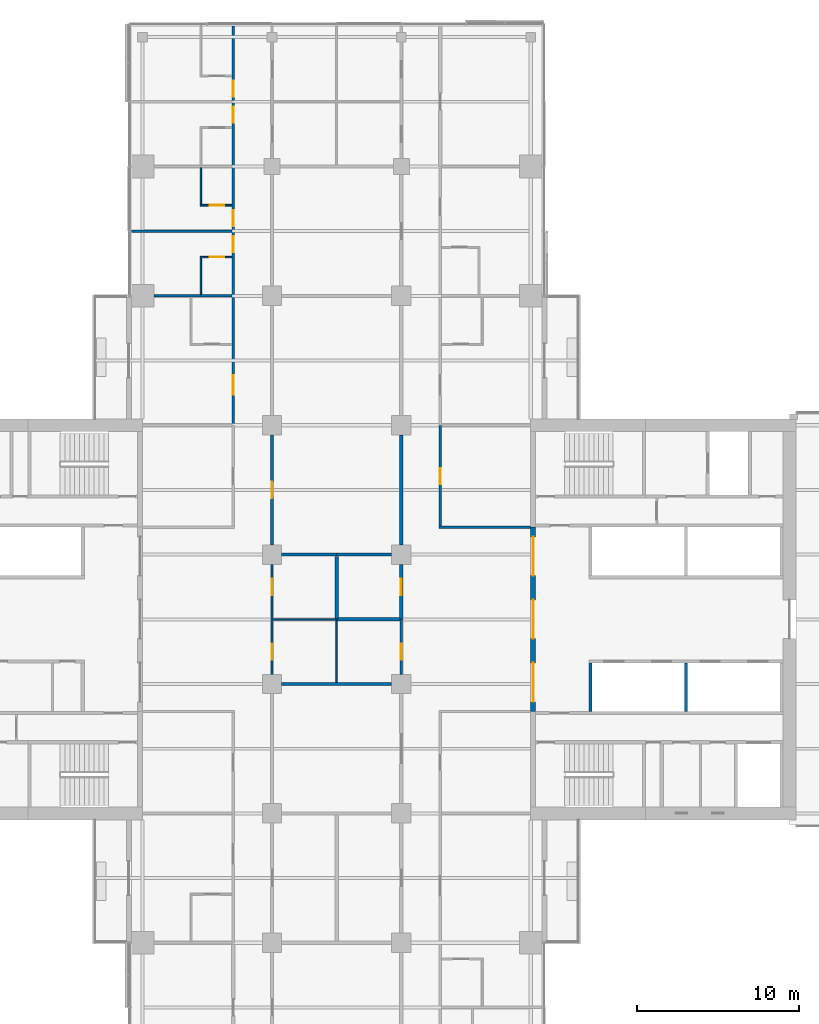
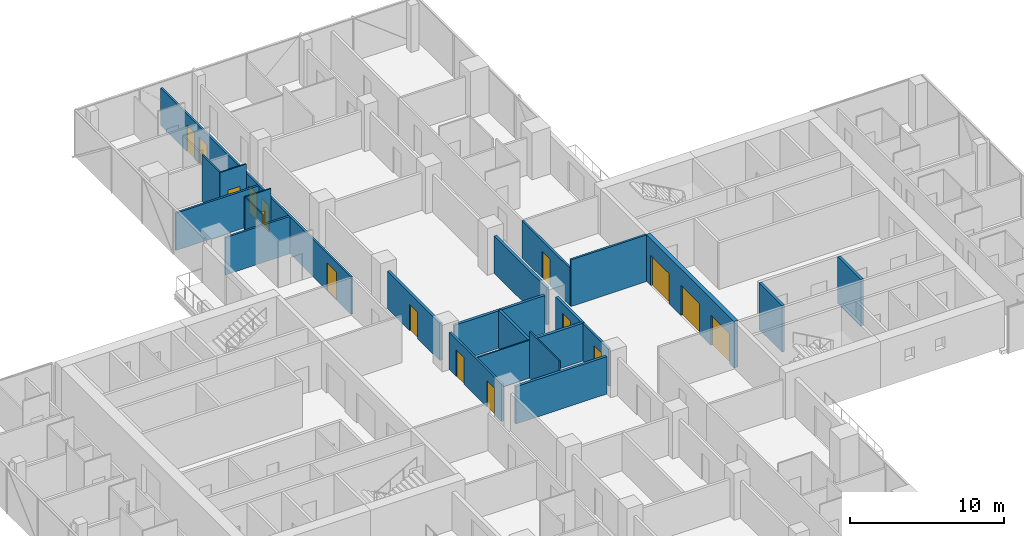
# One storey, part 19 of 27: 24 walls, 16 doors, 16 openings.
"""IFC4 building model written with IfcOpenShell, lengths in metres."""

from ifc_helpers import new_model, si_unit, direction, frame, frame_2d, origin, place, context, subcontext, project, spatial, rectangle, extrude, material, layer, layer_set, type_object, element, fill, save


model = new_model("IFC4")

# Units and contexts
model_context = context("Model", 3, precision=1e-05, world=origin(), true_north=direction((0.0, 1.0)))
body_context = subcontext(model_context, "Body", "Model", "MODEL_VIEW")
ifc_project = project(units=[si_unit("LENGTHUNIT", "METRE"), si_unit("AREAUNIT", "SQUARE_METRE"), si_unit("VOLUMEUNIT", "CUBIC_METRE"), si_unit("PLANEANGLEUNIT", "RADIAN"), si_unit("MASSUNIT", "GRAM", prefix="KILO")], contexts=[model_context])

# Site, building, storey
site_placement = place(None, origin())
site = spatial("IfcSite", under=ifc_project, at=site_placement, CompositionType="ELEMENT")
building_placement = place(site_placement, origin())
building = spatial("IfcBuilding", under=site, at=building_placement, Name="Crosswind Convention Tower", CompositionType="ELEMENT")
storey_placement = place(building_placement, frame((0.0, 0.0, 90.5)))
storey = spatial("IfcBuildingStorey", under=building, at=storey_placement, Name="L17", CompositionType="ELEMENT", Elevation=90.5)

# Walls
ifc_material_1 = material(Name="Concrete blockwork", Category="masonry")
ifc_layer_1 = layer(ifc_material_1, 0.199951171875)
ifc_layer_set_1 = layer_set([ifc_layer_1], Name="COMPARTMENT WALL 200")
wall_type_1 = type_object("IfcWallType", Name="COMPARTMENT WALL 200", PredefinedType="SOLIDWALL", material=ifc_layer_set_1)
wall_1_placement = place(storey_placement, frame((125.0, 100.0, 0.0), z_axis=(0.0, 0.0, 1.0), x_axis=(1.0, 0.0, 0.0)))
element("IfcWall", 1, at=wall_1_placement, inside=storey, type_object=wall_type_1, Name="Compartment Wall 30", PredefinedType="SOLIDWALL", context=body_context, shape_type="SweptSolid", body=[
    extrude(rectangle(XDim=3.925048828125, YDim=0.199951171875, at=frame_2d((1.96240234375, 0.0))), origin(), (0.0, 0.0, 1.0), 3.013671875),
])
wall_2_placement = place(storey_placement, frame((125.0, 104.0, 0.0), z_axis=(0.0, 0.0, 1.0), x_axis=(1.0, 0.0, 0.0)))
element("IfcWall", 2, at=wall_2_placement, inside=storey, type_object=wall_type_1, Name="Compartment Wall 37", PredefinedType="SOLIDWALL", context=body_context, shape_type="SweptSolid", body=[
    extrude(rectangle(XDim=3.39990234375, YDim=0.199951171875, at=frame_2d((1.699951171875, 0.0))), origin(), (0.0, 0.0, 1.0), 2.959716796875),
])
wall_3_placement = place(storey_placement, frame((125.0, 100.050048828125, 0.0), z_axis=(0.0, 0.0, 1.0), x_axis=(0.0, 1.0, 0.0)))
element("IfcWall", 3, at=wall_3_placement, inside=storey, type_object=wall_type_1, Name="Compartment Wall 98", PredefinedType="SOLIDWALL", context=body_context, shape_type="SweptSolid", body=[
    extrude(rectangle(XDim=3.849853515625, YDim=0.199951171875, at=frame_2d((1.9248046875, 0.0))), origin(), (0.0, 0.0, 1.0), 3.013671875),
])

# Wall, opening, door
wall_4_placement = place(storey_placement, frame((129.0, 100.0, 0.0), z_axis=(0.0, 0.0, 1.0), x_axis=(0.0, 1.0, 0.0)))
wall_4 = element("IfcWall", 4, at=wall_4_placement, inside=storey, type_object=wall_type_1, Name="Compartment Wall 108", PredefinedType="SOLIDWALL", context=body_context, shape_type="SweptSolid", body=[
    extrude(rectangle(XDim=3.39990234375, YDim=0.199951171875, at=frame_2d((1.699951171875, 0.0))), origin(), (0.0, 0.0, 1.0), 2.959716796875),
])
opening_1_placement = place(wall_4_placement, frame((1.5, 0.0, 0.0)))
opening_1 = element("IfcOpeningElement", 5, at=opening_1_placement, cuts=wall_4, Name="Opening 17.061", PredefinedType="OPENING", context=body_context, shape_type="SweptSolid", body=[
    extrude(rectangle(XDim=1.0, YDim=2.199951171875, at=frame_2d((0.5, 1.10009765625))), frame((0.0, 0.10986328125, 0.0), z_axis=(0.0, -1.0, 0.0), x_axis=(1.0, 0.0, 0.0)), (0.0, 0.0, 1.0), 0.219970703125),
])
ifc_material_2 = material(Name="Steel fire door", Category="steel")
door_type_1 = type_object("IfcDoorType", Name="PLANT ROOM DOOR 1000X2200", OperationType="NOTDEFINED", PredefinedType="DOOR", material=ifc_material_2)
door_1_placement = place(opening_1_placement, origin())
door_1 = element("IfcDoor", 6, at=door_1_placement, inside=storey, type_object=door_type_1, Name="Door 17.061", ObjectType="D6", OperationType="SINGLE_SWING_RIGHT", OverallHeight=2.199951171875, OverallWidth=1.0, PredefinedType="DOOR", context=body_context, shape_type="SweptSolid", body=[
    extrude(rectangle(XDim=1.0, YDim=2.199951171875, at=frame_2d((0.5, 1.10009765625))), frame((0.0, 0.02490234375, 0.0), z_axis=(0.0, -1.0, 0.0), x_axis=(1.0, 0.0, 0.0)), (0.0, 0.0, 1.0), 0.050048828125),
])
fill(opening_1, door_1)

# Wall
ifc_material_3 = material(Name="Plasterboard partition", Category="gypsum")
ifc_layer_2 = layer(ifc_material_3, 0.14990234375)
ifc_layer_set_2 = layer_set([ifc_layer_2], Name="CORRIDOR WALL 150")
wall_type_2 = type_object("IfcWallType", Name="CORRIDOR WALL 150", PredefinedType="PARTITIONING", material=ifc_layer_set_2)
wall_5_placement = place(storey_placement, frame((131.324951171875, 105.699951171875, 0.0), z_axis=(0.0, 0.0, 1.0), x_axis=(1.0, 0.0, 0.0)))
element("IfcWall", 7, at=wall_5_placement, inside=storey, type_object=wall_type_2, Name="Corridor Wall 42", PredefinedType="PARTITIONING", context=body_context, shape_type="SweptSolid", body=[
    extrude(rectangle(XDim=5.675048828125, YDim=0.14990234375, at=frame_2d((2.83740234375, 0.0))), origin(), (0.0, 0.0, 1.0), 3.699951171875),
])

# Wall, openings, doors
wall_6_placement = place(storey_placement, frame((121.0, 96.60009765625, 0.0), z_axis=(0.0, 0.0, 1.0), x_axis=(0.0, 1.0, 0.0)))
wall_6 = element("IfcWall", 8, at=wall_6_placement, inside=storey, type_object=wall_type_2, Name="Corridor Wall 88", PredefinedType="PARTITIONING", context=body_context, shape_type="SweptSolid", body=[
    extrude(rectangle(XDim=6.7998046875, YDim=0.14990234375, at=frame_2d((3.39990234375, 0.0))), origin(), (0.0, 0.0, 1.0), 2.959716796875),
])
opening_2_placement = place(wall_6_placement, frame((0.89990234375, 0.0, 0.0)))
opening_2 = element("IfcOpeningElement", 9, at=opening_2_placement, cuts=wall_6, Name="Opening 17.058", PredefinedType="OPENING", context=body_context, shape_type="SweptSolid", body=[
    extrude(rectangle(XDim=1.0, YDim=2.10009765625, at=frame_2d((0.5, 1.050048828125))), frame((0.0, 0.0849609375, 0.0), z_axis=(0.0, -1.0, 0.0), x_axis=(1.0, 0.0, 0.0)), (0.0, 0.0, 1.0), 0.169921875),
])
opening_3_placement = place(wall_6_placement, frame((4.89990234375, 0.0, 0.0)))
opening_3 = element("IfcOpeningElement", 10, at=opening_3_placement, cuts=wall_6, Name="Opening 17.059", PredefinedType="OPENING", context=body_context, shape_type="SweptSolid", body=[
    extrude(rectangle(XDim=1.0, YDim=2.10009765625, at=frame_2d((0.5, 1.050048828125))), frame((0.0, 0.0849609375, 0.0), z_axis=(0.0, -1.0, 0.0), x_axis=(1.0, 0.0, 0.0)), (0.0, 0.0, 1.0), 0.169921875),
])
ifc_material_4 = material(Name="Timber fire door", Category="wood")
door_type_2 = type_object("IfcDoorType", Name="SERVICE ROOM DOOR 1000X2100", OperationType="NOTDEFINED", PredefinedType="DOOR", material=ifc_material_4)
door_2_placement = place(opening_2_placement, frame((1.0, 0.0, 0.0), z_axis=(0.0, 0.0, 1.0), x_axis=(-1.0, 0.0, 0.0)))
door_2 = element("IfcDoor", 11, at=door_2_placement, inside=storey, type_object=door_type_2, Name="Door 17.058", ObjectType="D3", OperationType="SINGLE_SWING_RIGHT", OverallHeight=2.10009765625, OverallWidth=1.0, PredefinedType="DOOR", context=body_context, shape_type="SweptSolid", body=[
    extrude(rectangle(XDim=1.0, YDim=2.10009765625, at=frame_2d((0.5, 1.050048828125))), frame((0.0, 0.02490234375, 0.0), z_axis=(0.0, -1.0, 0.0), x_axis=(1.0, 0.0, 0.0)), (0.0, 0.0, 1.0), 0.050048828125),
])
fill(opening_2, door_2)
door_3_placement = place(opening_3_placement, frame((1.0, 0.0, 0.0), z_axis=(0.0, 0.0, 1.0), x_axis=(-1.0, 0.0, 0.0)))
door_3 = element("IfcDoor", 12, at=door_3_placement, inside=storey, type_object=door_type_2, Name="Door 17.059", ObjectType="D3", OperationType="SINGLE_SWING_LEFT", OverallHeight=2.10009765625, OverallWidth=1.0, PredefinedType="DOOR", context=body_context, shape_type="SweptSolid", body=[
    extrude(rectangle(XDim=1.0, YDim=2.10009765625, at=frame_2d((0.5, 1.050048828125))), frame((0.0, 0.02490234375, 0.0), z_axis=(0.0, -1.0, 0.0), x_axis=(1.0, 0.0, 0.0)), (0.0, 0.0, 1.0), 0.050048828125),
])
fill(opening_3, door_3)

# Wall, opening, door
wall_7_placement = place(storey_placement, frame((129.0, 96.60009765625, 0.0), z_axis=(0.0, 0.0, 1.0), x_axis=(0.0, 1.0, 0.0)))
wall_7 = element("IfcWall", 13, at=wall_7_placement, inside=storey, type_object=wall_type_2, Name="Corridor Wall 107", PredefinedType="PARTITIONING", context=body_context, shape_type="SweptSolid", body=[
    extrude(rectangle(XDim=3.39990234375, YDim=0.14990234375, at=frame_2d((1.699951171875, 0.0))), origin(), (0.0, 0.0, 1.0), 2.959716796875),
])
opening_4_placement = place(wall_7_placement, frame((0.89990234375, 0.0, 0.0)))
opening_4 = element("IfcOpeningElement", 14, at=opening_4_placement, cuts=wall_7, Name="Opening 17.060", PredefinedType="OPENING", context=body_context, shape_type="SweptSolid", body=[
    extrude(rectangle(XDim=1.0, YDim=2.10009765625, at=frame_2d((0.5, 1.050048828125))), frame((0.0, 0.0849609375, 0.0), z_axis=(0.0, -1.0, 0.0), x_axis=(1.0, 0.0, 0.0)), (0.0, 0.0, 1.0), 0.169921875),
])
door_4_placement = place(opening_4_placement, origin())
door_4 = element("IfcDoor", 15, at=door_4_placement, inside=storey, type_object=door_type_2, Name="Door 17.060", ObjectType="D3", OperationType="SINGLE_SWING_LEFT", OverallHeight=2.10009765625, OverallWidth=1.0, PredefinedType="DOOR", context=body_context, shape_type="SweptSolid", body=[
    extrude(rectangle(XDim=1.0, YDim=2.10009765625, at=frame_2d((0.5, 1.050048828125))), frame((0.0, 0.02490234375, 0.0), z_axis=(0.0, -1.0, 0.0), x_axis=(1.0, 0.0, 0.0)), (0.0, 0.0, 1.0), 0.050048828125),
])
fill(opening_4, door_4)

wall_8_placement = place(storey_placement, frame((131.39990234375, 105.77490234375, 0.0), z_axis=(0.0, 0.0, 1.0), x_axis=(0.0, 1.0, 0.0)))
wall_8 = element("IfcWall", 16, at=wall_8_placement, inside=storey, type_object=wall_type_2, Name="Corridor Wall 116", PredefinedType="PARTITIONING", context=body_context, shape_type="SweptSolid", body=[
    extrude(rectangle(XDim=6.22509765625, YDim=0.14990234375, at=frame_2d((3.112548828125, 0.0))), origin(), (0.0, 0.0, 1.0), 2.956298828125),
])
opening_5_placement = place(wall_8_placement, frame((2.574951171875, 0.0, 0.0)))
opening_5 = element("IfcOpeningElement", 17, at=opening_5_placement, cuts=wall_8, Name="Opening 17.001", PredefinedType="OPENING", context=body_context, shape_type="SweptSolid", body=[
    extrude(rectangle(XDim=1.0, YDim=2.10009765625, at=frame_2d((0.5, 1.050048828125))), frame((0.0, 0.0849609375, 0.0), z_axis=(0.0, -1.0, 0.0), x_axis=(1.0, 0.0, 0.0)), (0.0, 0.0, 1.0), 0.169921875),
])
door_5_placement = place(opening_5_placement, frame((1.0, 0.0, 0.0), z_axis=(0.0, 0.0, 1.0), x_axis=(-1.0, 0.0, 0.0)))
door_5 = element("IfcDoor", 18, at=door_5_placement, inside=storey, type_object=door_type_2, Name="Door 17.001", ObjectType="D3", OperationType="SINGLE_SWING_LEFT", OverallHeight=2.10009765625, OverallWidth=1.0, PredefinedType="DOOR", context=body_context, shape_type="SweptSolid", body=[
    extrude(rectangle(XDim=1.0, YDim=2.10009765625, at=frame_2d((0.5, 1.050048828125))), frame((0.0, 0.02490234375, 0.0), z_axis=(0.0, -1.0, 0.0), x_axis=(1.0, 0.0, 0.0)), (0.0, 0.0, 1.0), 0.050048828125),
])
fill(opening_5, door_5)

# Wall, openings, doors
ifc_material_5 = material(Name="Concrete C50/60", Category="concrete")
ifc_layer_3 = layer(ifc_material_5, 0.300048828125)
ifc_layer_set_3 = layer_set([ifc_layer_3], Name="Concrete C50/60")
wall_type_3 = type_object("IfcWallType", Name="Concrete inner core wall 300", PredefinedType="SHEAR", material=ifc_layer_set_3)
wall_9_placement = place(storey_placement, frame((137.14990234375, 94.300048828125, 0.0), z_axis=(0.0, 0.0, 1.0), x_axis=(0.0, 1.0, 0.0)))
wall_9 = element("IfcWall", 19, at=wall_9_placement, inside=storey, type_object=wall_type_3, Name="Wall SCR E L17", PredefinedType="SHEAR", context=body_context, shape_type="SweptSolid", body=[
    extrude(rectangle(XDim=11.39990234375, YDim=0.300048828125, at=frame_2d((5.699951171875, 0.0))), origin(), (0.0, 0.0, 1.0), 3.699951171875),
])
opening_6_placement = place(wall_9_placement, frame((0.60009765625, 0.0, 0.0)))
opening_6 = element("IfcOpeningElement", 20, at=opening_6_placement, cuts=wall_9, Name="Opening D100", PredefinedType="OPENING", context=body_context, shape_type="SweptSolid", body=[
    extrude(rectangle(XDim=2.39990234375, YDim=2.39990234375, at=frame_2d((1.199951171875, 1.199951171875))), frame((0.0, 0.159912109375, 0.0), z_axis=(0.0, -1.0, 0.0), x_axis=(1.0, 0.0, 0.0)), (0.0, 0.0, 1.0), 0.320068359375),
])
opening_7_placement = place(wall_9_placement, frame((4.5, 0.0, 0.0)))
opening_7 = element("IfcOpeningElement", 21, at=opening_7_placement, cuts=wall_9, Name="Opening D100", PredefinedType="OPENING", context=body_context, shape_type="SweptSolid", body=[
    extrude(rectangle(XDim=2.39990234375, YDim=2.39990234375, at=frame_2d((1.199951171875, 1.199951171875))), frame((0.0, 0.159912109375, 0.0), z_axis=(0.0, -1.0, 0.0), x_axis=(1.0, 0.0, 0.0)), (0.0, 0.0, 1.0), 0.320068359375),
])
opening_8_placement = place(wall_9_placement, frame((8.39990234375, 0.0, 0.0)))
opening_8 = element("IfcOpeningElement", 22, at=opening_8_placement, cuts=wall_9, Name="Opening D100", PredefinedType="OPENING", context=body_context, shape_type="SweptSolid", body=[
    extrude(rectangle(XDim=2.39990234375, YDim=2.39990234375, at=frame_2d((1.199951171875, 1.199951171875))), frame((0.0, 0.159912109375, 0.0), z_axis=(0.0, -1.0, 0.0), x_axis=(1.0, 0.0, 0.0)), (0.0, 0.0, 1.0), 0.320068359375),
])
ifc_material_6 = material(Name="Steel fire door with glazed vision panels", Category="steel")
door_type_3 = type_object("IfcDoorType", Name="Fire-rated double door 2400x2400", OperationType="DOUBLE_DOOR_SINGLE_SWING", PredefinedType="DOOR", material=ifc_material_6)
door_6_placement = place(opening_6_placement, origin())
door_6 = element("IfcDoor", 23, at=door_6_placement, inside=storey, type_object=door_type_3, Name="Lobby door 1 L17", ObjectType="D100", OperationType="DOUBLE_DOOR_SINGLE_SWING", OverallHeight=2.39990234375, OverallWidth=2.39990234375, PredefinedType="DOOR", context=body_context, shape_type="SweptSolid", body=[
    extrude(rectangle(XDim=2.39990234375, YDim=2.39990234375, at=frame_2d((1.199951171875, 1.199951171875))), frame((0.0, 0.02490234375, 0.0), z_axis=(0.0, -1.0, 0.0), x_axis=(1.0, 0.0, 0.0)), (0.0, 0.0, 1.0), 0.050048828125),
])
fill(opening_6, door_6)
door_7_placement = place(opening_7_placement, origin())
door_7 = element("IfcDoor", 24, at=door_7_placement, inside=storey, type_object=door_type_3, Name="Lobby door 2 L17", ObjectType="D100", OperationType="DOUBLE_DOOR_SINGLE_SWING", OverallHeight=2.39990234375, OverallWidth=2.39990234375, PredefinedType="DOOR", context=body_context, shape_type="SweptSolid", body=[
    extrude(rectangle(XDim=2.39990234375, YDim=2.39990234375, at=frame_2d((1.199951171875, 1.199951171875))), frame((0.0, 0.02490234375, 0.0), z_axis=(0.0, -1.0, 0.0), x_axis=(1.0, 0.0, 0.0)), (0.0, 0.0, 1.0), 0.050048828125),
])
fill(opening_7, door_7)
door_8_placement = place(opening_8_placement, origin())
door_8 = element("IfcDoor", 25, at=door_8_placement, inside=storey, type_object=door_type_3, Name="Lobby door 3 L17", ObjectType="D100", OperationType="DOUBLE_DOOR_SINGLE_SWING", OverallHeight=2.39990234375, OverallWidth=2.39990234375, PredefinedType="DOOR", context=body_context, shape_type="SweptSolid", body=[
    extrude(rectangle(XDim=2.39990234375, YDim=2.39990234375, at=frame_2d((1.199951171875, 1.199951171875))), frame((0.0, 0.02490234375, 0.0), z_axis=(0.0, -1.0, 0.0), x_axis=(1.0, 0.0, 0.0)), (0.0, 0.0, 1.0), 0.050048828125),
])
fill(opening_8, door_8)

# Walls
ifc_layer_4 = layer(ifc_material_5, 0.199951171875)
ifc_layer_set_4 = layer_set([ifc_layer_4], Name="Concrete C50/60")
wall_type_4 = type_object("IfcWallType", Name="Concrete shaft and stair wall 200", PredefinedType="SHEAR", material=ifc_layer_set_4)
for number, where, z_axis, x_axis, name in (
    (26, (140.699951171875, 94.300048828125, 0.0), (0.0, 0.0, 1.0), (0.0, 1.0, 0.0), "Wall RMEND E L17"),
    (27, (146.60009765625, 94.300048828125, 0.0), (0.0, 0.0, 1.0), (0.0, 1.0, 0.0), "Wall RMSEP E L17"),
):
    element("IfcWall", number, at=place(storey_placement, frame(where, z_axis=z_axis, x_axis=x_axis)), inside=storey, type_object=wall_type_4, Name=name, PredefinedType="SHEAR", context=body_context, shape_type="SweptSolid", body=[
        extrude(rectangle(XDim=3.0, YDim=0.199951171875, at=frame_2d((1.5, 0.0))), origin(), (0.0, 0.0, 1.0), 3.699951171875),
    ])
ifc_material_7 = material(Name="Acoustic plasterboard partition", Category="gypsum")
ifc_layer_5 = layer(ifc_material_7, 0.14990234375)
ifc_layer_set_5 = layer_set([ifc_layer_5], Name="GUEST ROOM WALL 150")
wall_type_5 = type_object("IfcWallType", Name="GUEST ROOM WALL 150", PredefinedType="PARTITIONING", material=ifc_layer_set_5)
wall_10_placement = place(storey_placement, frame((113.699951171875, 120.0, 0.0), z_axis=(0.0, 0.0, 1.0), x_axis=(1.0, 0.0, 0.0)))
element("IfcWall", 28, at=wall_10_placement, inside=storey, type_object=wall_type_5, Name="Guest Room Wall 52", PredefinedType="PARTITIONING", context=body_context, shape_type="SweptSolid", body=[
    extrude(rectangle(XDim=4.824951171875, YDim=0.14990234375, at=frame_2d((2.41259765625, 0.0))), origin(), (0.0, 0.0, 1.0), 2.959716796875),
])
wall_11_placement = place(storey_placement, frame((112.300048828125, 124.0, 0.0), z_axis=(0.0, 0.0, 1.0), x_axis=(1.0, 0.0, 0.0)))
element("IfcWall", 29, at=wall_11_placement, inside=storey, type_object=wall_type_5, Name="Guest Room Wall 57", PredefinedType="PARTITIONING", context=body_context, shape_type="SweptSolid", body=[
    extrude(rectangle(XDim=6.224853515625, YDim=0.14990234375, at=frame_2d((3.1123046875, 0.0))), origin(), (0.0, 0.0, 1.0), 2.962890625),
])

# Wall, openings, doors
wall_12_placement = place(storey_placement, frame((118.60009765625, 112.0, 0.0), z_axis=(0.0, 0.0, 1.0), x_axis=(0.0, 1.0, 0.0)))
wall_12 = element("IfcWall", 30, at=wall_12_placement, inside=storey, type_object=wall_type_5, Name="Guest Room Wall 82", PredefinedType="PARTITIONING", context=body_context, shape_type="SweptSolid", body=[
    extrude(rectangle(XDim=24.699951171875, YDim=0.14990234375, at=frame_2d((12.35009765625, 0.0))), origin(), (0.0, 0.0, 1.0), 2.956298828125),
])
opening_9_placement = place(wall_12_placement, frame((1.89990234375, 0.0, 0.0)))
opening_9 = element("IfcOpeningElement", 31, at=opening_9_placement, cuts=wall_12, Name="Opening 17.010", PredefinedType="OPENING", context=body_context, shape_type="SweptSolid", body=[
    extrude(rectangle(XDim=1.199951171875, YDim=2.199951171875, at=frame_2d((0.60009765625, 1.10009765625))), frame((0.0, 0.0849609375, 0.0), z_axis=(0.0, -1.0, 0.0), x_axis=(1.0, 0.0, 0.0)), (0.0, 0.0, 1.0), 0.169921875),
])
opening_10_placement = place(wall_12_placement, frame((10.699951171875, 0.0, 0.0)))
opening_10 = element("IfcOpeningElement", 32, at=opening_10_placement, cuts=wall_12, Name="Opening 17.012", PredefinedType="OPENING", context=body_context, shape_type="SweptSolid", body=[
    extrude(rectangle(XDim=1.0, YDim=2.10009765625, at=frame_2d((0.5, 1.050048828125))), frame((0.0, 0.0849609375, 0.0), z_axis=(0.0, -1.0, 0.0), x_axis=(1.0, 0.0, 0.0)), (0.0, 0.0, 1.0), 0.169921875),
])
opening_11_placement = place(wall_12_placement, frame((12.300048828125, 0.0, 0.0)))
opening_11 = element("IfcOpeningElement", 33, at=opening_11_placement, cuts=wall_12, Name="Opening 17.014", PredefinedType="OPENING", context=body_context, shape_type="SweptSolid", body=[
    extrude(rectangle(XDim=1.0, YDim=2.10009765625, at=frame_2d((0.5, 1.050048828125))), frame((0.0, 0.0849609375, 0.0), z_axis=(0.0, -1.0, 0.0), x_axis=(1.0, 0.0, 0.0)), (0.0, 0.0, 1.0), 0.169921875),
])
opening_12_placement = place(wall_12_placement, frame((18.699951171875, 0.0, 0.0)))
opening_12 = element("IfcOpeningElement", 34, at=opening_12_placement, cuts=wall_12, Name="Opening 17.016", PredefinedType="OPENING", context=body_context, shape_type="SweptSolid", body=[
    extrude(rectangle(XDim=1.0, YDim=2.10009765625, at=frame_2d((0.5, 1.050048828125))), frame((0.0, 0.0849609375, 0.0), z_axis=(0.0, -1.0, 0.0), x_axis=(1.0, 0.0, 0.0)), (0.0, 0.0, 1.0), 0.169921875),
])
opening_13_placement = place(wall_12_placement, frame((20.300048828125, 0.0, 0.0)))
opening_13 = element("IfcOpeningElement", 35, at=opening_13_placement, cuts=wall_12, Name="Opening 17.018", PredefinedType="OPENING", context=body_context, shape_type="SweptSolid", body=[
    extrude(rectangle(XDim=1.0, YDim=2.10009765625, at=frame_2d((0.5, 1.050048828125))), frame((0.0, 0.0849609375, 0.0), z_axis=(0.0, -1.0, 0.0), x_axis=(1.0, 0.0, 0.0)), (0.0, 0.0, 1.0), 0.169921875),
])
door_type_4 = type_object("IfcDoorType", Name="GUEST ROOM DOOR 1000X2100", OperationType="NOTDEFINED", PredefinedType="DOOR", material=ifc_material_4)
door_9_placement = place(opening_10_placement, origin())
door_9 = element("IfcDoor", 36, at=door_9_placement, inside=storey, type_object=door_type_4, Name="Door 17.012", ObjectType="D1", OperationType="SINGLE_SWING_RIGHT", OverallHeight=2.10009765625, OverallWidth=1.0, PredefinedType="DOOR", context=body_context, shape_type="SweptSolid", body=[
    extrude(rectangle(XDim=1.0, YDim=2.10009765625, at=frame_2d((0.5, 1.050048828125))), frame((0.0, 0.02490234375, 0.0), z_axis=(0.0, -1.0, 0.0), x_axis=(1.0, 0.0, 0.0)), (0.0, 0.0, 1.0), 0.050048828125),
])
fill(opening_10, door_9)
door_10_placement = place(opening_11_placement, origin())
door_10 = element("IfcDoor", 37, at=door_10_placement, inside=storey, type_object=door_type_4, Name="Door 17.014", ObjectType="D1", OperationType="SINGLE_SWING_RIGHT", OverallHeight=2.10009765625, OverallWidth=1.0, PredefinedType="DOOR", context=body_context, shape_type="SweptSolid", body=[
    extrude(rectangle(XDim=1.0, YDim=2.10009765625, at=frame_2d((0.5, 1.050048828125))), frame((0.0, 0.02490234375, 0.0), z_axis=(0.0, -1.0, 0.0), x_axis=(1.0, 0.0, 0.0)), (0.0, 0.0, 1.0), 0.050048828125),
])
fill(opening_11, door_10)
door_11_placement = place(opening_12_placement, origin())
door_11 = element("IfcDoor", 38, at=door_11_placement, inside=storey, type_object=door_type_4, Name="Door 17.016", ObjectType="D1", OperationType="SINGLE_SWING_RIGHT", OverallHeight=2.10009765625, OverallWidth=1.0, PredefinedType="DOOR", context=body_context, shape_type="SweptSolid", body=[
    extrude(rectangle(XDim=1.0, YDim=2.10009765625, at=frame_2d((0.5, 1.050048828125))), frame((0.0, 0.02490234375, 0.0), z_axis=(0.0, -1.0, 0.0), x_axis=(1.0, 0.0, 0.0)), (0.0, 0.0, 1.0), 0.050048828125),
])
fill(opening_12, door_11)
door_12_placement = place(opening_13_placement, origin())
door_12 = element("IfcDoor", 39, at=door_12_placement, inside=storey, type_object=door_type_4, Name="Door 17.018", ObjectType="D1", OperationType="SINGLE_SWING_RIGHT", OverallHeight=2.10009765625, OverallWidth=1.0, PredefinedType="DOOR", context=body_context, shape_type="SweptSolid", body=[
    extrude(rectangle(XDim=1.0, YDim=2.10009765625, at=frame_2d((0.5, 1.050048828125))), frame((0.0, 0.02490234375, 0.0), z_axis=(0.0, -1.0, 0.0), x_axis=(1.0, 0.0, 0.0)), (0.0, 0.0, 1.0), 0.050048828125),
])
fill(opening_13, door_12)
door_type_5 = type_object("IfcDoorType", Name="SUITE DOOR 1200X2200", OperationType="DOUBLE_DOOR_SINGLE_SWING", PredefinedType="DOOR", material=ifc_material_4)
door_13_placement = place(opening_9_placement, origin())
door_13 = element("IfcDoor", 40, at=door_13_placement, inside=storey, type_object=door_type_5, Name="Door 17.010", ObjectType="D14", OperationType="DOUBLE_DOOR_SINGLE_SWING", OverallHeight=2.199951171875, OverallWidth=1.199951171875, PredefinedType="DOOR", context=body_context, shape_type="SweptSolid", body=[
    extrude(rectangle(XDim=1.199951171875, YDim=2.199951171875, at=frame_2d((0.60009765625, 1.10009765625))), frame((0.0, 0.02490234375, 0.0), z_axis=(0.0, -1.0, 0.0), x_axis=(1.0, 0.0, 0.0)), (0.0, 0.0, 1.0), 0.050048828125),
])
fill(opening_9, door_13)

# Walls
ifc_material_8 = material(Name="Double plasterboard partition", Category="gypsum")
ifc_layer_6 = layer(ifc_material_8, 0.199951171875)
ifc_layer_set_6 = layer_set([ifc_layer_6], Name="HALL WALL 200")
wall_type_6 = type_object("IfcWallType", Name="HALL WALL 200", PredefinedType="PARTITIONING", material=ifc_layer_set_6)
wall_13_placement = place(storey_placement, frame((121.60009765625, 96.0, 0.0), z_axis=(0.0, 0.0, 1.0), x_axis=(1.0, 0.0, 0.0)))
element("IfcWall", 41, at=wall_13_placement, inside=storey, type_object=wall_type_6, Name="Hall Wall 23", PredefinedType="PARTITIONING", context=body_context, shape_type="SweptSolid", body=[
    extrude(rectangle(XDim=6.7998046875, YDim=0.199951171875, at=frame_2d((3.39990234375, 0.0))), origin(), (0.0, 0.0, 1.0), 2.959716796875),
])
wall_14_placement = place(storey_placement, frame((121.60009765625, 104.0, 0.0), z_axis=(0.0, 0.0, 1.0), x_axis=(1.0, 0.0, 0.0)))
element("IfcWall", 42, at=wall_14_placement, inside=storey, type_object=wall_type_6, Name="Hall Wall 36", PredefinedType="PARTITIONING", context=body_context, shape_type="SweptSolid", body=[
    extrude(rectangle(XDim=3.39990234375, YDim=0.199951171875, at=frame_2d((1.699951171875, 0.0))), origin(), (0.0, 0.0, 1.0), 2.959716796875),
])

# Wall, opening, door
wall_15_placement = place(storey_placement, frame((121.0, 104.60009765625, 0.0), z_axis=(0.0, 0.0, 1.0), x_axis=(0.0, 1.0, 0.0)))
wall_15 = element("IfcWall", 43, at=wall_15_placement, inside=storey, type_object=wall_type_6, Name="Hall Wall 89", PredefinedType="PARTITIONING", context=body_context, shape_type="SweptSolid", body=[
    extrude(rectangle(XDim=6.7998046875, YDim=0.199951171875, at=frame_2d((3.39990234375, 0.0))), origin(), (0.0, 0.0, 1.0), 2.959716796875),
])
opening_14_placement = place(wall_15_placement, frame((2.89990234375, 0.0, 0.0)))
opening_14 = element("IfcOpeningElement", 44, at=opening_14_placement, cuts=wall_15, Name="Opening 17.062", PredefinedType="OPENING", context=body_context, shape_type="SweptSolid", body=[
    extrude(rectangle(XDim=1.0, YDim=2.10009765625, at=frame_2d((0.5, 1.050048828125))), frame((0.0, 0.10986328125, 0.0), z_axis=(0.0, -1.0, 0.0), x_axis=(1.0, 0.0, 0.0)), (0.0, 0.0, 1.0), 0.219970703125),
])
door_type_6 = type_object("IfcDoorType", Name="MEETING ROOM DOOR 1000X2100", OperationType="NOTDEFINED", PredefinedType="DOOR", material=ifc_material_4)
door_14_placement = place(opening_14_placement, frame((1.0, 0.0, 0.0), z_axis=(0.0, 0.0, 1.0), x_axis=(-1.0, 0.0, 0.0)))
door_14 = element("IfcDoor", 45, at=door_14_placement, inside=storey, type_object=door_type_6, Name="Door 17.062", ObjectType="D13", OperationType="SINGLE_SWING_LEFT", OverallHeight=2.10009765625, OverallWidth=1.0, PredefinedType="DOOR", context=body_context, shape_type="SweptSolid", body=[
    extrude(rectangle(XDim=1.0, YDim=2.10009765625, at=frame_2d((0.5, 1.050048828125))), frame((0.0, 0.02490234375, 0.0), z_axis=(0.0, -1.0, 0.0), x_axis=(1.0, 0.0, 0.0)), (0.0, 0.0, 1.0), 0.050048828125),
])
fill(opening_14, door_14)

# Walls
wall_16_placement = place(storey_placement, frame((129.0, 104.60009765625, 0.0), z_axis=(0.0, 0.0, 1.0), x_axis=(0.0, 1.0, 0.0)))
element("IfcWall", 46, at=wall_16_placement, inside=storey, type_object=wall_type_6, Name="Hall Wall 109", PredefinedType="PARTITIONING", context=body_context, shape_type="SweptSolid", body=[
    extrude(rectangle(XDim=6.7998046875, YDim=0.199951171875, at=frame_2d((3.39990234375, 0.0))), origin(), (0.0, 0.0, 1.0), 2.959716796875),
])
ifc_layer_7 = layer(ifc_material_3, 0.10009765625)
ifc_layer_set_7 = layer_set([ifc_layer_7], Name="PARTITION 100")
wall_type_7 = type_object("IfcWallType", Name="PARTITION 100", PredefinedType="PARTITIONING", material=ifc_layer_set_7)
wall_17_placement = place(storey_placement, frame((121.074951171875, 100.0, 0.0), z_axis=(0.0, 0.0, 1.0), x_axis=(1.0, 0.0, 0.0)))
element("IfcWall", 47, at=wall_17_placement, inside=storey, type_object=wall_type_7, Name="Partition 29", PredefinedType="PARTITIONING", context=body_context, shape_type="SweptSolid", body=[
    extrude(rectangle(XDim=3.925048828125, YDim=0.10009765625, at=frame_2d((1.96240234375, 0.0))), origin(), (0.0, 0.0, 1.0), 3.013671875),
])
wall_18_placement = place(storey_placement, frame((125.0, 96.10009765625, 0.0), z_axis=(0.0, 0.0, 1.0), x_axis=(0.0, 1.0, 0.0)))
element("IfcWall", 48, at=wall_18_placement, inside=storey, type_object=wall_type_7, Name="Partition 97", PredefinedType="PARTITIONING", context=body_context, shape_type="SweptSolid", body=[
    extrude(rectangle(XDim=3.849853515625, YDim=0.10009765625, at=frame_2d((1.9248046875, 0.0))), origin(), (0.0, 0.0, 1.0), 3.699951171875),
])

# Wall, opening, door
ifc_material_9 = material(Name="Water-resistant plasterboard partition", Category="gypsum")
ifc_layer_8 = layer(ifc_material_9, 0.10009765625)
ifc_layer_set_8 = layer_set([ifc_layer_8], Name="WET ROOM PARTITION 100")
wall_type_8 = type_object("IfcWallType", Name="WET ROOM PARTITION 100", PredefinedType="PLUMBINGWALL", material=ifc_layer_set_8)
wall_19_placement = place(storey_placement, frame((116.550048828125, 122.39990234375, 0.0), z_axis=(0.0, 0.0, 1.0), x_axis=(1.0, 0.0, 0.0)))
wall_19 = element("IfcWall", 49, at=wall_19_placement, inside=storey, type_object=wall_type_8, Name="Wet Room Partition 55", PredefinedType="PLUMBINGWALL", context=body_context, shape_type="SweptSolid", body=[
    extrude(rectangle(XDim=1.974853515625, YDim=0.10009765625, at=frame_2d((0.9873046875, 0.0))), origin(), (0.0, 0.0, 1.0), 3.699951171875),
])
opening_15_placement = place(wall_19_placement, frame((0.60009765625, 0.0, 0.0)))
opening_15 = element("IfcOpeningElement", 50, at=opening_15_placement, cuts=wall_19, Name="Opening 17.013", PredefinedType="OPENING", context=body_context, shape_type="SweptSolid", body=[
    extrude(rectangle(XDim=0.89990234375, YDim=2.10009765625, at=frame_2d((0.449951171875, 1.050048828125))), frame((0.0, 0.06005859375, 0.0), z_axis=(0.0, -1.0, 0.0), x_axis=(1.0, 0.0, 0.0)), (0.0, 0.0, 1.0), 0.1201171875),
])
ifc_material_10 = material(Name="Timber door", Category="wood")
door_type_7 = type_object("IfcDoorType", Name="EN-SUITE DOOR 900X2100", OperationType="NOTDEFINED", PredefinedType="DOOR", material=ifc_material_10)
door_15_placement = place(opening_15_placement, frame((0.89990234375, 0.0, 0.0), z_axis=(0.0, 0.0, 1.0), x_axis=(-1.0, 0.0, 0.0)))
door_15 = element("IfcDoor", 51, at=door_15_placement, inside=storey, type_object=door_type_7, Name="Door 17.013", ObjectType="D2", OperationType="SINGLE_SWING_LEFT", OverallHeight=2.10009765625, OverallWidth=0.89990234375, PredefinedType="DOOR", context=body_context, shape_type="SweptSolid", body=[
    extrude(rectangle(XDim=0.89990234375, YDim=2.10009765625, at=frame_2d((0.449951171875, 1.050048828125))), frame((0.0, 0.02490234375, 0.0), z_axis=(0.0, -1.0, 0.0), x_axis=(1.0, 0.0, 0.0)), (0.0, 0.0, 1.0), 0.050048828125),
])
fill(opening_15, door_15)

wall_20_placement = place(storey_placement, frame((116.550048828125, 125.60009765625, 0.0), z_axis=(0.0, 0.0, 1.0), x_axis=(1.0, 0.0, 0.0)))
wall_20 = element("IfcWall", 52, at=wall_20_placement, inside=storey, type_object=wall_type_8, Name="Wet Room Partition 58", PredefinedType="PLUMBINGWALL", context=body_context, shape_type="SweptSolid", body=[
    extrude(rectangle(XDim=1.974853515625, YDim=0.10009765625, at=frame_2d((0.9873046875, 0.0))), origin(), (0.0, 0.0, 1.0), 3.699951171875),
])
opening_16_placement = place(wall_20_placement, frame((0.60009765625, 0.0, 0.0)))
opening_16 = element("IfcOpeningElement", 53, at=opening_16_placement, cuts=wall_20, Name="Opening 17.015", PredefinedType="OPENING", context=body_context, shape_type="SweptSolid", body=[
    extrude(rectangle(XDim=0.89990234375, YDim=2.10009765625, at=frame_2d((0.449951171875, 1.050048828125))), frame((0.0, 0.06005859375, 0.0), z_axis=(0.0, -1.0, 0.0), x_axis=(1.0, 0.0, 0.0)), (0.0, 0.0, 1.0), 0.1201171875),
])
door_16_placement = place(opening_16_placement, origin())
door_16 = element("IfcDoor", 54, at=door_16_placement, inside=storey, type_object=door_type_7, Name="Door 17.015", ObjectType="D2", OperationType="SINGLE_SWING_RIGHT", OverallHeight=2.10009765625, OverallWidth=0.89990234375, PredefinedType="DOOR", context=body_context, shape_type="SweptSolid", body=[
    extrude(rectangle(XDim=0.89990234375, YDim=2.10009765625, at=frame_2d((0.449951171875, 1.050048828125))), frame((0.0, 0.02490234375, 0.0), z_axis=(0.0, -1.0, 0.0), x_axis=(1.0, 0.0, 0.0)), (0.0, 0.0, 1.0), 0.050048828125),
])
fill(opening_16, door_16)

# Walls
for number, where, z_axis, x_axis, name in (
    (55, (116.60009765625, 120.074951171875, 0.0), (0.0, 0.0, 1.0), (0.0, 1.0, 0.0), "Wet Room Partition 74"),
    (56, (116.60009765625, 125.64990234375, 0.0), (0.0, 0.0, 1.0), (0.0, 1.0, 0.0), "Wet Room Partition 75"),
):
    element("IfcWall", number, at=place(storey_placement, frame(where, z_axis=z_axis, x_axis=x_axis)), inside=storey, type_object=wall_type_8, Name=name, PredefinedType="PLUMBINGWALL", context=body_context, shape_type="SweptSolid", body=[
        extrude(rectangle(XDim=2.275146484375, YDim=0.10009765625, at=frame_2d((1.1376953125, 0.0))), origin(), (0.0, 0.0, 1.0), 3.699951171875),
    ])

save(model, "model.ifc")
